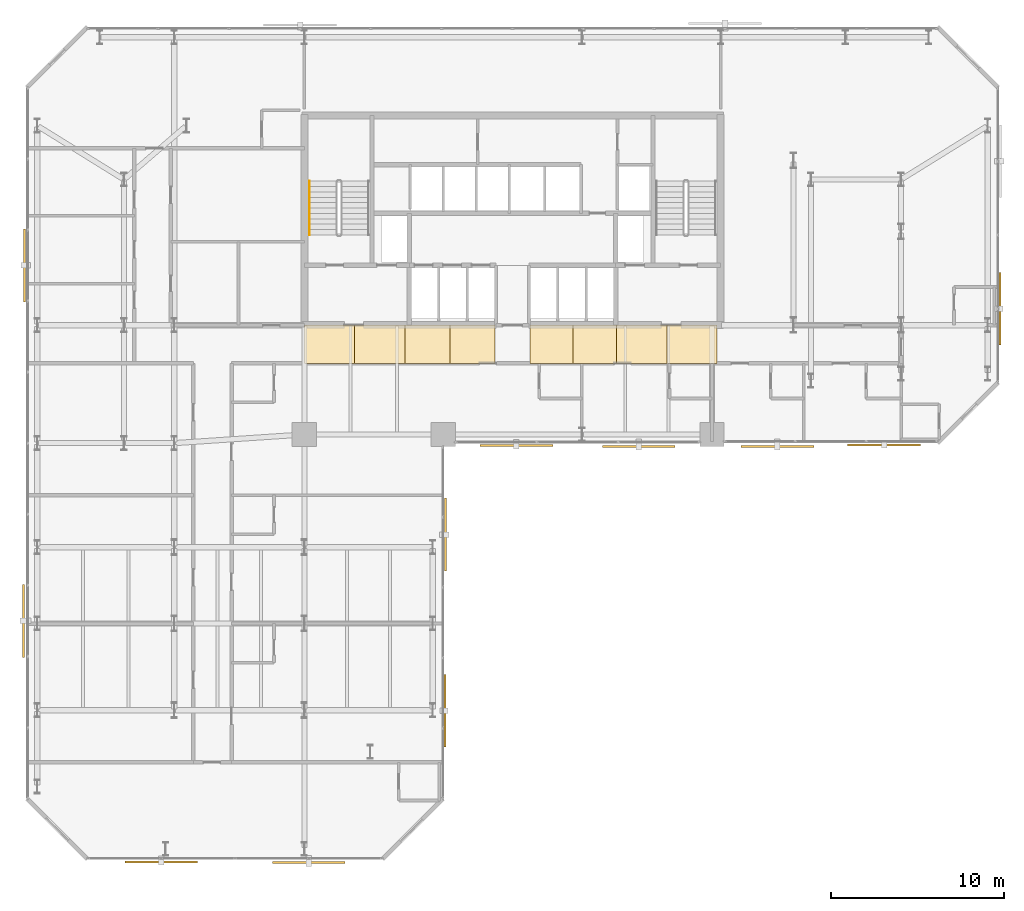
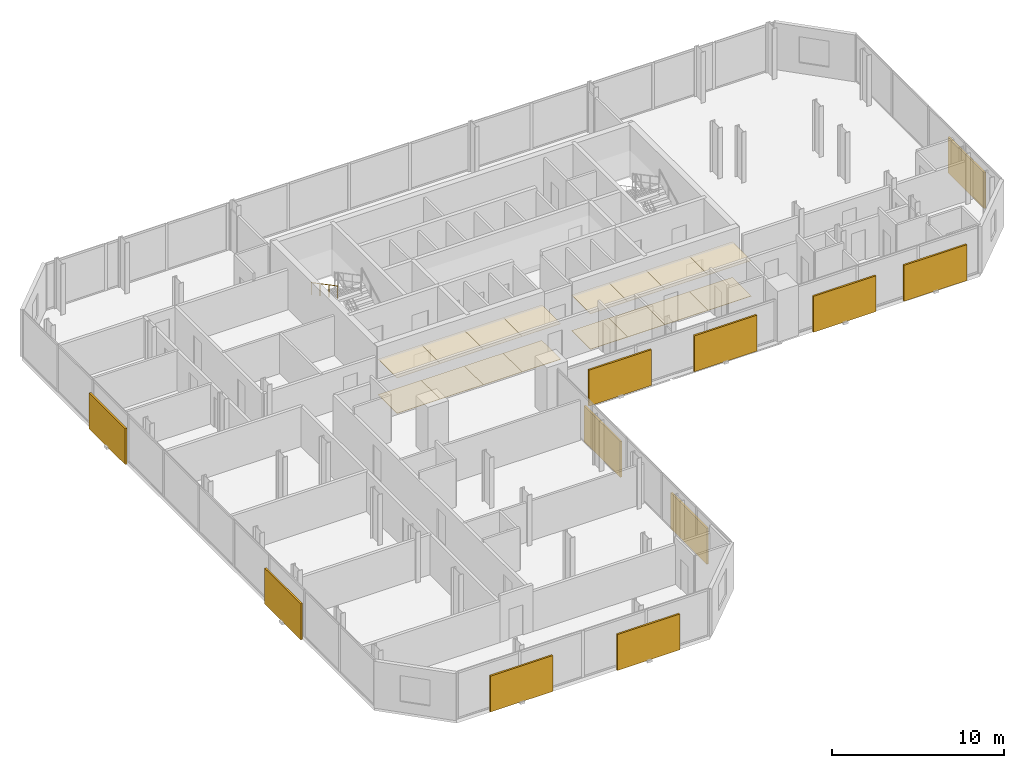
# One storey, part 31 of 32: 16 coverings, 11 shading devices, 1 railing.
"""IFC4 building model written with IfcOpenShell, lengths in metres."""

from ifc_helpers import new_model, si_unit, direction, frame, origin, origin_2d, place, context, subcontext, project, spatial, polyline, rectangle, circle, outline, extrude, material, layer, layer_set, type_object, element, save


model = new_model("IFC4")

# Units and contexts
model_context = context("Model", 3, precision=1e-05, world=origin(), true_north=direction((0.0, 1.0)))
body_context = subcontext(model_context, "Body", "Model", "MODEL_VIEW")
ifc_project = project(units=[si_unit("LENGTHUNIT", "METRE"), si_unit("AREAUNIT", "SQUARE_METRE"), si_unit("VOLUMEUNIT", "CUBIC_METRE"), si_unit("PLANEANGLEUNIT", "RADIAN"), si_unit("MASSUNIT", "GRAM", prefix="KILO")], contexts=[model_context])

# Site, building, storey
site_placement = place(None, origin())
site = spatial("IfcSite", under=ifc_project, at=site_placement, CompositionType="ELEMENT")
building_placement = place(site_placement, origin())
building = spatial("IfcBuilding", under=site, at=building_placement, Name="Catumbela Crestline Tower", CompositionType="ELEMENT")
storey_placement = place(building_placement, frame((0.0, 0.0, 65.4)))
storey = spatial("IfcBuildingStorey", under=building, at=storey_placement, Name="L16", CompositionType="ELEMENT", Elevation=65.4)

# Coverings
ifc_material_1 = material(Name="Mineral-fibre acoustic ceiling")
ifc_layer_1 = layer(ifc_material_1, 0.03, Name="Mineral-fibre acoustic ceiling")
ifc_layer_set_1 = layer_set([ifc_layer_1], Name="Mineral-fibre acoustic ceiling")
covering_type_1 = type_object("IfcCoveringType", Name="CC-AC", PredefinedType="CEILING", material=ifc_layer_set_1)
covering_1_placement = place(storey_placement, frame((0.0, 0.0, 2.52)))
element("IfcCovering", 1, at=covering_1_placement, inside=storey, type_object=covering_type_1, Name="L16 Corridor Acoustic Ceiling Bay 1", PredefinedType="CEILING", context=body_context, shape_type="SweptSolid", body=[
    extrude(outline(polyline([(16.0, 28.6), (18.9, 28.6), (18.9, 30.8), (16.0, 30.8), (16.0, 28.6)])), origin(), (0.0, 0.0, 1.0), 0.03),
])
covering_2_placement = place(storey_placement, frame((0.0, 0.0, 2.52)))
element("IfcCovering", 2, at=covering_2_placement, inside=storey, type_object=covering_type_1, Name="L16 Corridor Acoustic Ceiling Bay 2", PredefinedType="CEILING", context=body_context, shape_type="SweptSolid", body=[
    extrude(outline(polyline([(18.9, 28.6), (21.8, 28.6), (21.8, 30.8), (18.9, 30.8), (18.9, 28.6)])), origin(), (0.0, 0.0, 1.0), 0.03),
])
covering_3_placement = place(storey_placement, frame((0.0, 0.0, 2.52)))
element("IfcCovering", 3, at=covering_3_placement, inside=storey, type_object=covering_type_1, Name="L16 Corridor Acoustic Ceiling Bay 3", PredefinedType="CEILING", context=body_context, shape_type="SweptSolid", body=[
    extrude(outline(polyline([(21.8, 28.6), (24.4, 28.6), (24.4, 30.8), (21.8, 30.8), (21.8, 28.6)])), origin(), (0.0, 0.0, 1.0), 0.03),
])
covering_4_placement = place(storey_placement, frame((0.0, 0.0, 2.52)))
element("IfcCovering", 4, at=covering_4_placement, inside=storey, type_object=covering_type_1, Name="L16 Corridor Acoustic Ceiling Bay 4", PredefinedType="CEILING", context=body_context, shape_type="SweptSolid", body=[
    extrude(outline(polyline([(24.4, 28.6), (27.0, 28.6), (27.0, 30.8), (24.4, 30.8), (24.4, 28.6)])), origin(), (0.0, 0.0, 1.0), 0.03),
])
covering_5_placement = place(storey_placement, frame((0.0, 0.0, 2.52)))
element("IfcCovering", 5, at=covering_5_placement, inside=storey, type_object=covering_type_1, Name="L16 Corridor Acoustic Ceiling Bay 5", PredefinedType="CEILING", context=body_context, shape_type="SweptSolid", body=[
    extrude(outline(polyline([(29.0, 28.6), (31.5, 28.6), (31.5, 30.8), (29.0, 30.8), (29.0, 28.6)])), origin(), (0.0, 0.0, 1.0), 0.03),
])
covering_6_placement = place(storey_placement, frame((0.0, 0.0, 2.52)))
element("IfcCovering", 6, at=covering_6_placement, inside=storey, type_object=covering_type_1, Name="L16 Corridor Acoustic Ceiling Bay 6", PredefinedType="CEILING", context=body_context, shape_type="SweptSolid", body=[
    extrude(outline(polyline([(31.5, 28.6), (34.0, 28.6), (34.0, 30.8), (31.5, 30.8), (31.5, 28.6)])), origin(), (0.0, 0.0, 1.0), 0.03),
])
covering_7_placement = place(storey_placement, frame((0.0, 0.0, 2.52)))
element("IfcCovering", 7, at=covering_7_placement, inside=storey, type_object=covering_type_1, Name="L16 Corridor Acoustic Ceiling Bay 7", PredefinedType="CEILING", context=body_context, shape_type="SweptSolid", body=[
    extrude(outline(polyline([(34.0, 28.6), (36.9, 28.6), (36.9, 30.8), (34.0, 30.8), (34.0, 28.6)])), origin(), (0.0, 0.0, 1.0), 0.03),
])
covering_8_placement = place(storey_placement, frame((0.0, 0.0, 2.52)))
element("IfcCovering", 8, at=covering_8_placement, inside=storey, type_object=covering_type_1, Name="L16 Corridor Acoustic Ceiling Bay 8", PredefinedType="CEILING", context=body_context, shape_type="SweptSolid", body=[
    extrude(outline(polyline([(36.9, 28.6), (39.8, 28.6), (39.8, 30.8), (36.9, 30.8), (36.9, 28.6)])), origin(), (0.0, 0.0, 1.0), 0.03),
])
ifc_material_2 = material(Name="Angolan grey-ochre granite", Category="masonry")
ifc_layer_2 = layer(ifc_material_2, 0.025, Name="Angolan grey-ochre granite")
ifc_layer_set_2 = layer_set([ifc_layer_2], Name="Angolan grey-ochre granite")
covering_type_2 = type_object("IfcCoveringType", Name="CF-GR", PredefinedType="FLOORING", material=ifc_layer_set_2)
covering_9_placement = place(storey_placement, origin())
element("IfcCovering", 9, at=covering_9_placement, inside=storey, type_object=covering_type_2, Name="L16 Corridor Granite Flooring Bay 1", PredefinedType="FLOORING", context=body_context, shape_type="SweptSolid", body=[
    extrude(outline(polyline([(16.0, 28.6), (18.9, 28.6), (18.9, 30.8), (16.0, 30.8), (16.0, 28.6)])), origin(), (0.0, 0.0, 1.0), 0.025),
])
covering_10_placement = place(storey_placement, origin())
element("IfcCovering", 10, at=covering_10_placement, inside=storey, type_object=covering_type_2, Name="L16 Corridor Granite Flooring Bay 2", PredefinedType="FLOORING", context=body_context, shape_type="SweptSolid", body=[
    extrude(outline(polyline([(18.9, 28.6), (21.8, 28.6), (21.8, 30.8), (18.9, 30.8), (18.9, 28.6)])), origin(), (0.0, 0.0, 1.0), 0.025),
])
covering_11_placement = place(storey_placement, origin())
element("IfcCovering", 11, at=covering_11_placement, inside=storey, type_object=covering_type_2, Name="L16 Corridor Granite Flooring Bay 3", PredefinedType="FLOORING", context=body_context, shape_type="SweptSolid", body=[
    extrude(outline(polyline([(21.8, 28.6), (24.4, 28.6), (24.4, 30.8), (21.8, 30.8), (21.8, 28.6)])), origin(), (0.0, 0.0, 1.0), 0.025),
])
covering_12_placement = place(storey_placement, origin())
element("IfcCovering", 12, at=covering_12_placement, inside=storey, type_object=covering_type_2, Name="L16 Corridor Granite Flooring Bay 4", PredefinedType="FLOORING", context=body_context, shape_type="SweptSolid", body=[
    extrude(outline(polyline([(24.4, 28.6), (27.0, 28.6), (27.0, 30.8), (24.4, 30.8), (24.4, 28.6)])), origin(), (0.0, 0.0, 1.0), 0.025),
])
covering_13_placement = place(storey_placement, origin())
element("IfcCovering", 13, at=covering_13_placement, inside=storey, type_object=covering_type_2, Name="L16 Corridor Granite Flooring Bay 5", PredefinedType="FLOORING", context=body_context, shape_type="SweptSolid", body=[
    extrude(outline(polyline([(29.0, 28.6), (31.5, 28.6), (31.5, 30.8), (29.0, 30.8), (29.0, 28.6)])), origin(), (0.0, 0.0, 1.0), 0.025),
])
covering_14_placement = place(storey_placement, origin())
element("IfcCovering", 14, at=covering_14_placement, inside=storey, type_object=covering_type_2, Name="L16 Corridor Granite Flooring Bay 6", PredefinedType="FLOORING", context=body_context, shape_type="SweptSolid", body=[
    extrude(outline(polyline([(31.5, 28.6), (34.0, 28.6), (34.0, 30.8), (31.5, 30.8), (31.5, 28.6)])), origin(), (0.0, 0.0, 1.0), 0.025),
])
covering_15_placement = place(storey_placement, origin())
element("IfcCovering", 15, at=covering_15_placement, inside=storey, type_object=covering_type_2, Name="L16 Corridor Granite Flooring Bay 7", PredefinedType="FLOORING", context=body_context, shape_type="SweptSolid", body=[
    extrude(outline(polyline([(34.0, 28.6), (36.9, 28.6), (36.9, 30.8), (34.0, 30.8), (34.0, 28.6)])), origin(), (0.0, 0.0, 1.0), 0.025),
])
covering_16_placement = place(storey_placement, origin())
element("IfcCovering", 16, at=covering_16_placement, inside=storey, type_object=covering_type_2, Name="L16 Corridor Granite Flooring Bay 8", PredefinedType="FLOORING", context=body_context, shape_type="SweptSolid", body=[
    extrude(outline(polyline([(36.9, 28.6), (39.8, 28.6), (39.8, 30.8), (36.9, 30.8), (36.9, 28.6)])), origin(), (0.0, 0.0, 1.0), 0.025),
])

# Railing
ifc_material_3 = material(Name="Stainless steel EN 1.4401", Category="steel")
railing_type = type_object("IfcRailingType", Name="RH-0900", PredefinedType="HANDRAIL", material=ifc_material_3)
railing_placement = place(storey_placement, frame((16.3, 39.1, 1.9636)))
element("IfcRailing", 17, at=railing_placement, inside=storey, type_object=railing_type, Name="L16 ST-01 stair handrail 2", PredefinedType="HANDRAIL", context=body_context, shape_type="SweptSolid", body=[
    extrude(circle(Radius=0.024, at=origin_2d()), frame((0.0, 0.0, 0.876), z_axis=(0.0, -0.884350731049, 0.466823076222), x_axis=(1.0, 0.0, 0.0)), (0.0, 0.0, 1.0), 3.5054),
    extrude(circle(Radius=0.021, at=origin_2d()), origin(), (0.0, 0.0, 1.0), 0.852),
    extrude(circle(Radius=0.021, at=origin_2d()), frame((0.0, -1.0333, 0.5455)), (0.0, 0.0, 1.0), 0.852),
    extrude(circle(Radius=0.021, at=origin_2d()), frame((0.0, -2.0667, 1.0909)), (0.0, 0.0, 1.0), 0.852),
    extrude(circle(Radius=0.021, at=origin_2d()), frame((0.0, -3.1, 1.6364)), (0.0, 0.0, 1.0), 0.852),
])

# Shading devices
ifc_material_4 = material(Name="Extruded terracotta ceramic", Category="masonry")
shading_device_type_1 = type_object("IfcShadingDeviceType", Name="ST-180", PredefinedType="USERDEFINED", material=ifc_material_4)
for number, where, z_axis, x_axis, name in (
    (18, (24.099, 8.575, -0.1), (0.0, 0.0, 1.0), (0.0, 1.0, 0.0), "L16 Perforated Terracotta Solar Screen 157 (180 mm)"),
    (19, (49.425, 23.901, -0.1), (0.0, 0.0, 1.0), (1.0, 0.0, 0.0), "L16 Perforated Terracotta Solar Screen 162 (180 mm)"),
    (20, (56.099, 31.75, -0.1), (0.0, 0.0, 1.0), (0.0, 1.0, 0.0), "L16 Perforated Terracotta Solar Screen 163 (180 mm)"),
):
    element("IfcShadingDevice", number, at=place(storey_placement, frame(where, z_axis=z_axis, x_axis=x_axis)), inside=storey, type_object=shading_device_type_1, Name=name, ObjectType="SCREEN", PredefinedType="USERDEFINED", context=body_context, shape_type="SweptSolid", body=[
        extrude(rectangle(XDim=4.2, YDim=0.12, at=origin_2d()), origin(), (0.0, 0.0, 1.0), 2.55),
    ])
shading_device_type_2 = type_object("IfcShadingDeviceType", Name="ST-260", PredefinedType="USERDEFINED", material=ifc_material_4)
for number, where, z_axis, x_axis, name in (
    (21, (7.75, -0.143, -0.1), (0.0, 0.0, 1.0), (1.0, 0.0, 0.0), "L16 Perforated Terracotta Solar Screen 155 (260 mm)"),
    (22, (24.143, 18.725, -0.1), (0.0, 0.0, 1.0), (0.0, 1.0, 0.0), "L16 Perforated Terracotta Solar Screen 158 (260 mm)"),
    (23, (28.225, 23.857, -0.1), (0.0, 0.0, 1.0), (1.0, 0.0, 0.0), "L16 Perforated Terracotta Solar Screen 159 (260 mm)"),
    (24, (-0.143, 34.25, -0.1), (0.0, 0.0, 1.0), (0.0, -1.0, 0.0), "L16 Perforated Terracotta Solar Screen 167 (260 mm)"),
):
    element("IfcShadingDevice", number, at=place(storey_placement, frame(where, z_axis=z_axis, x_axis=x_axis)), inside=storey, type_object=shading_device_type_2, Name=name, ObjectType="SCREEN", PredefinedType="USERDEFINED", context=body_context, shape_type="SweptSolid", body=[
        extrude(rectangle(XDim=4.2, YDim=0.12, at=origin_2d()), origin(), (0.0, 0.0, 1.0), 2.55),
    ])
shading_device_type_3 = type_object("IfcShadingDeviceType", Name="ST-340", PredefinedType="USERDEFINED", material=ifc_material_4)
for number, where, z_axis, x_axis, name in (
    (25, (16.25, -0.187, -0.1), (0.0, 0.0, 1.0), (1.0, 0.0, 0.0), "L16 Perforated Terracotta Solar Screen 156 (340 mm)"),
    (26, (35.275, 23.813, -0.1), (0.0, 0.0, 1.0), (1.0, 0.0, 0.0), "L16 Perforated Terracotta Solar Screen 160 (340 mm)"),
    (27, (43.275, 23.813, -0.1), (0.0, 0.0, 1.0), (1.0, 0.0, 0.0), "L16 Perforated Terracotta Solar Screen 161 (340 mm)"),
    (28, (-0.187, 13.75, -0.1), (0.0, 0.0, 1.0), (0.0, -1.0, 0.0), "L16 Perforated Terracotta Solar Screen 168 (340 mm)"),
):
    element("IfcShadingDevice", number, at=place(storey_placement, frame(where, z_axis=z_axis, x_axis=x_axis)), inside=storey, type_object=shading_device_type_3, Name=name, ObjectType="SCREEN", PredefinedType="USERDEFINED", context=body_context, shape_type="SweptSolid", body=[
        extrude(rectangle(XDim=4.2, YDim=0.12, at=origin_2d()), origin(), (0.0, 0.0, 1.0), 2.55),
    ])

save(model, "model.ifc")
